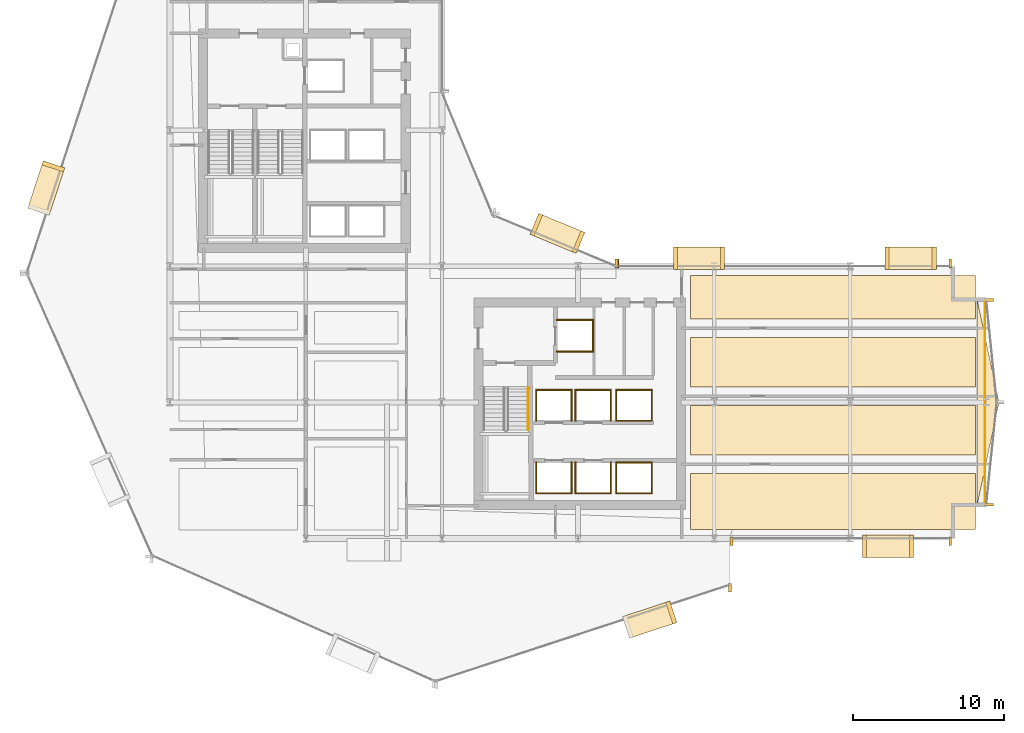
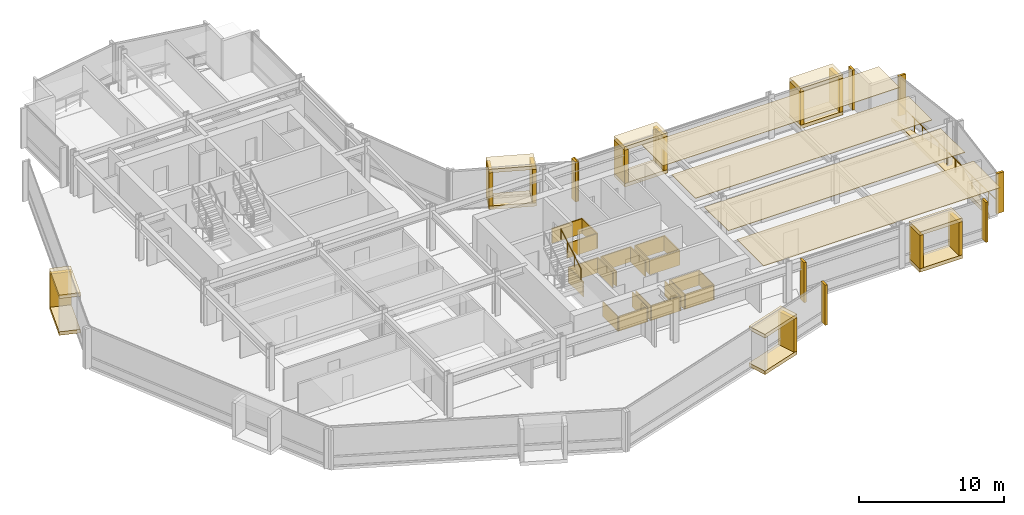
# One storey, part 33 of 35: 58 coverings, 2 railings.
"""IFC4 building model written with IfcOpenShell, lengths in metres."""

from ifc_helpers import new_model, si_unit, direction, frame, origin, origin_2d, place, context, subcontext, project, spatial, polyline, rectangle, circle, outline, extrude, material, layer, layer_set, type_object, element, save


model = new_model("IFC4")

# Units and contexts
model_context = context("Model", 3, precision=1e-05, world=origin(), true_north=direction((0.0, 1.0)))
body_context = subcontext(model_context, "Body", "Model", "MODEL_VIEW")
ifc_project = project(units=[si_unit("LENGTHUNIT", "METRE"), si_unit("AREAUNIT", "SQUARE_METRE"), si_unit("VOLUMEUNIT", "CUBIC_METRE"), si_unit("PLANEANGLEUNIT", "RADIAN"), si_unit("MASSUNIT", "GRAM", prefix="KILO")], contexts=[model_context])

# Site, building, storey
site_placement = place(None, origin())
site = spatial("IfcSite", under=ifc_project, at=site_placement, CompositionType="ELEMENT")
building_placement = place(site_placement, origin())
building = spatial("IfcBuilding", under=site, at=building_placement, Name="Solvaryn Broadcast Tower", CompositionType="ELEMENT")
storey_placement = place(building_placement, frame((0.0, 0.0, 80.39990234375)))
storey = spatial("IfcBuildingStorey", under=building, at=storey_placement, Name="L19", CompositionType="ELEMENT", Elevation=80.39990234375)

# Coverings
ifc_material_1 = material(Name="Micro-Perforated Acoustic Gypsum Ceiling", Category="concrete")
ifc_layer_1 = layer(ifc_material_1, 0.0400390625)
ifc_layer_set_1 = layer_set([ifc_layer_1], Name="CV-CEIL-ACOUSTIC")
covering_type_1 = type_object("IfcCoveringType", Name="CV-CEIL-ACOUSTIC", PredefinedType="CEILING", material=ifc_layer_set_1)
covering_1_placement = place(storey_placement, frame((0.0, 0.0, 3.330078125)))
element("IfcCovering", 1, at=covering_1_placement, inside=storey, type_object=covering_type_1, Name="L19 Room Acoustic Ceiling 10", PredefinedType="CEILING", context=body_context, shape_type="SweptSolid", body=[
    extrude(outline(polyline([(43.449951171875, 9.60009765625), (62.300048828125, 9.60009765625), (62.300048828125, 13.300048828125), (43.449951171875, 13.300048828125), (43.449951171875, 9.60009765625)])), origin(), (0.0, 0.0, 1.0), 0.0400390625),
])
covering_2_placement = place(storey_placement, frame((0.0, 0.0, 3.330078125)))
element("IfcCovering", 2, at=covering_2_placement, inside=storey, type_object=covering_type_1, Name="L19 Room Acoustic Ceiling 11", PredefinedType="CEILING", context=body_context, shape_type="SweptSolid", body=[
    extrude(outline(polyline([(43.449951171875, 14.5), (62.300048828125, 14.5), (62.300048828125, 17.800048828125), (43.449951171875, 17.800048828125), (43.449951171875, 14.5)])), origin(), (0.0, 0.0, 1.0), 0.0400390625),
])
covering_3_placement = place(storey_placement, frame((0.0, 0.0, 3.330078125)))
element("IfcCovering", 3, at=covering_3_placement, inside=storey, type_object=covering_type_1, Name="L19 Room Acoustic Ceiling 12", PredefinedType="CEILING", context=body_context, shape_type="SweptSolid", body=[
    extrude(outline(polyline([(43.449951171875, 19.0), (62.300048828125, 19.0), (62.300048828125, 22.300048828125), (43.449951171875, 22.300048828125), (43.449951171875, 19.0)])), origin(), (0.0, 0.0, 1.0), 0.0400390625),
])
covering_4_placement = place(storey_placement, frame((0.0, 0.0, 3.330078125)))
element("IfcCovering", 4, at=covering_4_placement, inside=storey, type_object=covering_type_1, Name="L19 Room Acoustic Ceiling 13", PredefinedType="CEILING", context=body_context, shape_type="SweptSolid", body=[
    extrude(outline(polyline([(43.449951171875, 23.5), (62.300048828125, 23.5), (62.300048828125, 26.39990234375), (43.449951171875, 26.39990234375), (43.449951171875, 23.5)])), origin(), (0.0, 0.0, 1.0), 0.0400390625),
])
ifc_material_2 = material(Name="Fire-Rated Gypsum Shaftwall Liner", Category="concrete")
ifc_layer_2 = layer(ifc_material_2, 0.080078125)
ifc_layer_set_2 = layer_set([ifc_layer_2], Name="CV-SHAFT-LINER")
covering_type_2 = type_object("IfcCoveringType", Name="CV-SHAFT-LINER", PredefinedType="CLADDING", material=ifc_layer_set_2)
for number, where, z_axis, x_axis, name in (
    (5, (35.800048828125, 23.43994140625, 0.0), (0.0, 0.0, 1.0), (1.0, 0.0, 0.0), "L19 FL2 Hoistway Shaft Liner North"),
    (6, (35.800048828125, 21.360107421875, 0.0), (0.0, 0.0, 1.0), (1.0, 0.0, 0.0), "L19 FL2 Hoistway Shaft Liner South"),
):
    element("IfcCovering", number, at=place(storey_placement, frame(where, z_axis=z_axis, x_axis=x_axis)), inside=storey, type_object=covering_type_2, Name=name, PredefinedType="CLADDING", context=body_context, shape_type="SweptSolid", body=[
        extrude(rectangle(XDim=2.4599609375, YDim=0.080078125, at=origin_2d()), origin(), (0.0, 0.0, 1.0), 1.25),
    ])
covering_5_placement = place(storey_placement, frame((36.989990234375, 22.39990234375, 0.0), z_axis=(0.0, 0.0, 1.0), x_axis=(1.0, 0.0, 0.0)))
element("IfcCovering", 7, at=covering_5_placement, inside=storey, type_object=covering_type_2, Name="L19 FL2 Hoistway Shaft Liner East", PredefinedType="CLADDING", context=body_context, shape_type="SweptSolid", body=[
    extrude(rectangle(XDim=0.080078125, YDim=2.159912109375, at=origin_2d()), origin(), (0.0, 0.0, 1.0), 1.25),
])
covering_6_placement = place(storey_placement, frame((34.39990234375, 11.985107421875, 0.0), z_axis=(0.0, 0.0, 1.0), x_axis=(1.0, 0.0, 0.0)))
element("IfcCovering", 8, at=covering_6_placement, inside=storey, type_object=covering_type_2, Name="L19 PL1 Hoistway Shaft Liner South", PredefinedType="CLADDING", context=body_context, shape_type="SweptSolid", body=[
    extrude(rectangle(XDim=2.409912109375, YDim=0.080078125, at=origin_2d()), origin(), (0.0, 0.0, 1.0), 1.25),
])
for number, where, z_axis, x_axis, name in (
    (9, (35.56494140625, 13.0, 0.0), (0.0, 0.0, 1.0), (1.0, 0.0, 0.0), "L19 PL1 Hoistway Shaft Liner East"),
    (10, (33.235107421875, 13.0, 0.0), (0.0, 0.0, 1.0), (1.0, 0.0, 0.0), "L19 PL1 Hoistway Shaft Liner West"),
):
    element("IfcCovering", number, at=place(storey_placement, frame(where, z_axis=z_axis, x_axis=x_axis)), inside=storey, type_object=covering_type_2, Name=name, PredefinedType="CLADDING", context=body_context, shape_type="SweptSolid", body=[
        extrude(rectangle(XDim=0.080078125, YDim=2.110107421875, at=origin_2d()), origin(), (0.0, 0.0, 1.0), 1.25),
    ])
covering_7_placement = place(storey_placement, frame((37.0, 11.985107421875, 0.0), z_axis=(0.0, 0.0, 1.0), x_axis=(1.0, 0.0, 0.0)))
element("IfcCovering", 11, at=covering_7_placement, inside=storey, type_object=covering_type_2, Name="L19 PL2 Hoistway Shaft Liner South", PredefinedType="CLADDING", context=body_context, shape_type="SweptSolid", body=[
    extrude(rectangle(XDim=2.409912109375, YDim=0.080078125, at=origin_2d()), origin(), (0.0, 0.0, 1.0), 1.25),
])
for number, where, z_axis, x_axis, name in (
    (12, (38.1650390625, 13.0, 0.0), (0.0, 0.0, 1.0), (1.0, 0.0, 0.0), "L19 PL2 Hoistway Shaft Liner East"),
    (13, (35.8349609375, 13.0, 0.0), (0.0, 0.0, 1.0), (1.0, 0.0, 0.0), "L19 PL2 Hoistway Shaft Liner West"),
):
    element("IfcCovering", number, at=place(storey_placement, frame(where, z_axis=z_axis, x_axis=x_axis)), inside=storey, type_object=covering_type_2, Name=name, PredefinedType="CLADDING", context=body_context, shape_type="SweptSolid", body=[
        extrude(rectangle(XDim=0.080078125, YDim=2.110107421875, at=origin_2d()), origin(), (0.0, 0.0, 1.0), 1.25),
    ])
covering_8_placement = place(storey_placement, frame((34.39990234375, 18.81494140625, 0.0), z_axis=(0.0, 0.0, 1.0), x_axis=(1.0, 0.0, 0.0)))
element("IfcCovering", 14, at=covering_8_placement, inside=storey, type_object=covering_type_2, Name="L19 PL3 Hoistway Shaft Liner North", PredefinedType="CLADDING", context=body_context, shape_type="SweptSolid", body=[
    extrude(rectangle(XDim=2.409912109375, YDim=0.080078125, at=origin_2d()), origin(), (0.0, 0.0, 1.0), 1.25),
])
for number, where, z_axis, x_axis, name in (
    (15, (35.56494140625, 17.800048828125, 0.0), (0.0, 0.0, 1.0), (1.0, 0.0, 0.0), "L19 PL3 Hoistway Shaft Liner East"),
    (16, (33.235107421875, 17.800048828125, 0.0), (0.0, 0.0, 1.0), (1.0, 0.0, 0.0), "L19 PL3 Hoistway Shaft Liner West"),
):
    element("IfcCovering", number, at=place(storey_placement, frame(where, z_axis=z_axis, x_axis=x_axis)), inside=storey, type_object=covering_type_2, Name=name, PredefinedType="CLADDING", context=body_context, shape_type="SweptSolid", body=[
        extrude(rectangle(XDim=0.080078125, YDim=2.110107421875, at=origin_2d()), origin(), (0.0, 0.0, 1.0), 1.25),
    ])
covering_9_placement = place(storey_placement, frame((37.0, 18.81494140625, 0.0), z_axis=(0.0, 0.0, 1.0), x_axis=(1.0, 0.0, 0.0)))
element("IfcCovering", 17, at=covering_9_placement, inside=storey, type_object=covering_type_2, Name="L19 PL4 Hoistway Shaft Liner North", PredefinedType="CLADDING", context=body_context, shape_type="SweptSolid", body=[
    extrude(rectangle(XDim=2.409912109375, YDim=0.080078125, at=origin_2d()), origin(), (0.0, 0.0, 1.0), 1.25),
])
for number, where, z_axis, x_axis, name in (
    (18, (38.1650390625, 17.800048828125, 0.0), (0.0, 0.0, 1.0), (1.0, 0.0, 0.0), "L19 PL4 Hoistway Shaft Liner East"),
    (19, (35.8349609375, 17.800048828125, 0.0), (0.0, 0.0, 1.0), (1.0, 0.0, 0.0), "L19 PL4 Hoistway Shaft Liner West"),
):
    element("IfcCovering", number, at=place(storey_placement, frame(where, z_axis=z_axis, x_axis=x_axis)), inside=storey, type_object=covering_type_2, Name=name, PredefinedType="CLADDING", context=body_context, shape_type="SweptSolid", body=[
        extrude(rectangle(XDim=0.080078125, YDim=2.110107421875, at=origin_2d()), origin(), (0.0, 0.0, 1.0), 1.25),
    ])
for number, where, z_axis, x_axis, name in (
    (20, (39.699951171875, 14.014892578125, 0.0), (0.0, 0.0, 1.0), (1.0, 0.0, 0.0), "L19 PM1 Hoistway Shaft Liner North"),
    (21, (39.699951171875, 11.985107421875, 0.0), (0.0, 0.0, 1.0), (1.0, 0.0, 0.0), "L19 PM1 Hoistway Shaft Liner South"),
):
    element("IfcCovering", number, at=place(storey_placement, frame(where, z_axis=z_axis, x_axis=x_axis)), inside=storey, type_object=covering_type_2, Name=name, PredefinedType="CLADDING", context=body_context, shape_type="SweptSolid", body=[
        extrude(rectangle(XDim=2.409912109375, YDim=0.080078125, at=origin_2d()), origin(), (0.0, 0.0, 1.0), 1.25),
    ])
for number, where, z_axis, x_axis, name in (
    (22, (40.864990234375, 13.0, 0.0), (0.0, 0.0, 1.0), (1.0, 0.0, 0.0), "L19 PM1 Hoistway Shaft Liner East"),
    (23, (38.534912109375, 13.0, 0.0), (0.0, 0.0, 1.0), (1.0, 0.0, 0.0), "L19 PM1 Hoistway Shaft Liner West"),
):
    element("IfcCovering", number, at=place(storey_placement, frame(where, z_axis=z_axis, x_axis=x_axis)), inside=storey, type_object=covering_type_2, Name=name, PredefinedType="CLADDING", context=body_context, shape_type="SweptSolid", body=[
        extrude(rectangle(XDim=0.080078125, YDim=2.110107421875, at=origin_2d()), origin(), (0.0, 0.0, 1.0), 1.25),
    ])
for number, where, z_axis, x_axis, name in (
    (24, (39.699951171875, 18.81494140625, 0.0), (0.0, 0.0, 1.0), (1.0, 0.0, 0.0), "L19 PM2 Hoistway Shaft Liner North"),
    (25, (39.699951171875, 16.784912109375, 0.0), (0.0, 0.0, 1.0), (1.0, 0.0, 0.0), "L19 PM2 Hoistway Shaft Liner South"),
):
    element("IfcCovering", number, at=place(storey_placement, frame(where, z_axis=z_axis, x_axis=x_axis)), inside=storey, type_object=covering_type_2, Name=name, PredefinedType="CLADDING", context=body_context, shape_type="SweptSolid", body=[
        extrude(rectangle(XDim=2.409912109375, YDim=0.080078125, at=origin_2d()), origin(), (0.0, 0.0, 1.0), 1.25),
    ])
for number, where, z_axis, x_axis, name in (
    (26, (40.864990234375, 17.800048828125, 0.0), (0.0, 0.0, 1.0), (1.0, 0.0, 0.0), "L19 PM2 Hoistway Shaft Liner East"),
    (27, (38.534912109375, 17.800048828125, 0.0), (0.0, 0.0, 1.0), (1.0, 0.0, 0.0), "L19 PM2 Hoistway Shaft Liner West"),
):
    element("IfcCovering", number, at=place(storey_placement, frame(where, z_axis=z_axis, x_axis=x_axis)), inside=storey, type_object=covering_type_2, Name=name, PredefinedType="CLADDING", context=body_context, shape_type="SweptSolid", body=[
        extrude(rectangle(XDim=0.080078125, YDim=2.110107421875, at=origin_2d()), origin(), (0.0, 0.0, 1.0), 1.25),
    ])
ifc_material_3 = material(Name="Glazed Architectural Terracotta Rainscreen Cladding", Category="masonry")
ifc_layer_3 = layer(ifc_material_3, 0.280029296875)
ifc_layer_set_3 = layer_set([ifc_layer_3], Name="CV-TC-CLAD")
covering_type_3 = type_object("IfcCoveringType", Name="CV-TC-CLAD", PredefinedType="CLADDING", material=ifc_layer_set_3)
for number, where, z_axis, x_axis, name in (
    (28, (0.819091796875, 32.173095703125, 3.080078125), (0.0, 0.0, 1.0), (-0.311671636848, -0.950189870912, 0.0), "L19 Projecting Stone Window Box Hood 1"),
    (29, (0.819091796875, 32.173095703125, -0.009765625), (0.0, 0.0, 1.0), (-0.311671636848, -0.950189870912, 0.0), "L19 Projecting Stone Window Box Sill 1"),
):
    element("IfcCovering", number, at=place(storey_placement, frame(where, z_axis=z_axis, x_axis=x_axis)), inside=storey, type_object=covering_type_3, Name=name, PredefinedType="CLADDING", context=body_context, shape_type="SweptSolid", body=[
        extrude(rectangle(XDim=3.300048828125, YDim=1.5, at=origin_2d()), origin(), (0.0, 0.0, 1.0), 0.300048828125),
    ])
covering_10_placement = place(storey_placement, frame((1.28955078125, 33.60791015625, 0.280029296875), z_axis=(0.0, 0.0, 1.0), x_axis=(-0.311671636848, -0.950189870912, 0.0)))
element("IfcCovering", 30, at=covering_10_placement, inside=storey, type_object=covering_type_3, Name="L19 Projecting Stone Window Box Cheek 1-1", PredefinedType="CLADDING", context=body_context, shape_type="SweptSolid", body=[
    extrude(rectangle(XDim=0.280029296875, YDim=1.5, at=origin_2d()), origin(), (0.0, 0.0, 1.0), 2.81005859375),
])
for number, where, z_axis, x_axis, name in (
    (31, (40.73291015625, 3.6259765625, 3.080078125), (0.0, 0.0, 1.0), (0.950189870912, 0.311671636848, 0.0), "L19 Projecting Stone Window Box Hood 4"),
    (32, (40.73291015625, 3.6259765625, -0.009765625), (0.0, 0.0, 1.0), (0.950189870912, 0.311671636848, 0.0), "L19 Projecting Stone Window Box Sill 4"),
):
    element("IfcCovering", number, at=place(storey_placement, frame(where, z_axis=z_axis, x_axis=x_axis)), inside=storey, type_object=covering_type_3, Name=name, PredefinedType="CLADDING", context=body_context, shape_type="SweptSolid", body=[
        extrude(rectangle(XDim=3.300048828125, YDim=1.5, at=origin_2d()), origin(), (0.0, 0.0, 1.0), 0.300048828125),
    ])
covering_11_placement = place(storey_placement, frame((42.167724609375, 4.0966796875, 0.280029296875), z_axis=(0.0, 0.0, 1.0), x_axis=(0.950189870912, 0.311671636848, 0.0)))
element("IfcCovering", 33, at=covering_11_placement, inside=storey, type_object=covering_type_3, Name="L19 Projecting Stone Window Box Cheek 4-2", PredefinedType="CLADDING", context=body_context, shape_type="SweptSolid", body=[
    extrude(rectangle(XDim=0.280029296875, YDim=1.5, at=origin_2d()), origin(), (0.0, 0.0, 1.0), 2.81005859375),
])
for number, where, z_axis, x_axis, name in (
    (34, (34.636962890625, 29.174072265625, 3.080078125), (0.0, 0.0, 1.0), (-0.923879532511, 0.382683432365, 0.0), "L19 Projecting Stone Window Box Hood 5"),
    (35, (34.636962890625, 29.174072265625, -0.009765625), (0.0, 0.0, 1.0), (-0.923879532511, 0.382683432365, 0.0), "L19 Projecting Stone Window Box Sill 5"),
):
    element("IfcCovering", number, at=place(storey_placement, frame(where, z_axis=z_axis, x_axis=x_axis)), inside=storey, type_object=covering_type_3, Name=name, PredefinedType="CLADDING", context=body_context, shape_type="SweptSolid", body=[
        extrude(rectangle(XDim=3.300048828125, YDim=1.5, at=origin_2d()), origin(), (0.0, 0.0, 1.0), 0.300048828125),
    ])
for number, where, z_axis, x_axis, name in (
    (36, (36.031982421875, 28.59619140625, 0.280029296875), (0.0, 0.0, 1.0), (-0.923879532511, 0.382683432365, 0.0), "L19 Projecting Stone Window Box Cheek 5-1"),
    (37, (33.241943359375, 29.751953125, 0.280029296875), (0.0, 0.0, 1.0), (-0.923879532511, 0.382683432365, 0.0), "L19 Projecting Stone Window Box Cheek 5-2"),
):
    element("IfcCovering", number, at=place(storey_placement, frame(where, z_axis=z_axis, x_axis=x_axis)), inside=storey, type_object=covering_type_3, Name=name, PredefinedType="CLADDING", context=body_context, shape_type="SweptSolid", body=[
        extrude(rectangle(XDim=0.280029296875, YDim=1.5, at=origin_2d()), origin(), (0.0, 0.0, 1.0), 2.81005859375),
    ])
for number, where, z_axis, x_axis, name in (
    (38, (56.5, 8.469970703125, 3.080078125), (0.0, 0.0, 1.0), (1.0, 0.0, 0.0), "L19 Projecting Stone Window Box Hood 6"),
    (39, (56.5, 8.469970703125, -0.009765625), (0.0, 0.0, 1.0), (1.0, 0.0, 0.0), "L19 Projecting Stone Window Box Sill 6"),
):
    element("IfcCovering", number, at=place(storey_placement, frame(where, z_axis=z_axis, x_axis=x_axis)), inside=storey, type_object=covering_type_3, Name=name, PredefinedType="CLADDING", context=body_context, shape_type="SweptSolid", body=[
        extrude(rectangle(XDim=3.39990234375, YDim=1.5, at=origin_2d()), origin(), (0.0, 0.0, 1.0), 0.300048828125),
    ])
for number, where, z_axis, x_axis, name in (
    (40, (54.93994140625, 8.469970703125, 0.280029296875), (0.0, 0.0, 1.0), (1.0, 0.0, 0.0), "L19 Projecting Stone Window Box Cheek 6-1"),
    (41, (58.06005859375, 8.469970703125, 0.280029296875), (0.0, 0.0, 1.0), (1.0, 0.0, 0.0), "L19 Projecting Stone Window Box Cheek 6-2"),
):
    element("IfcCovering", number, at=place(storey_placement, frame(where, z_axis=z_axis, x_axis=x_axis)), inside=storey, type_object=covering_type_3, Name=name, PredefinedType="CLADDING", context=body_context, shape_type="SweptSolid", body=[
        extrude(rectangle(XDim=0.280029296875, YDim=1.5, at=origin_2d()), origin(), (0.0, 0.0, 1.0), 2.81005859375),
    ])
for number, where, z_axis, x_axis, name in (
    (42, (44.0, 27.530029296875, 3.080078125), (0.0, 0.0, 1.0), (1.0, 0.0, 0.0), "L19 Projecting Stone Window Box Hood 7"),
    (43, (44.0, 27.530029296875, -0.009765625), (0.0, 0.0, 1.0), (1.0, 0.0, 0.0), "L19 Projecting Stone Window Box Sill 7"),
):
    element("IfcCovering", number, at=place(storey_placement, frame(where, z_axis=z_axis, x_axis=x_axis)), inside=storey, type_object=covering_type_3, Name=name, PredefinedType="CLADDING", context=body_context, shape_type="SweptSolid", body=[
        extrude(rectangle(XDim=3.39990234375, YDim=1.5, at=origin_2d()), origin(), (0.0, 0.0, 1.0), 0.300048828125),
    ])
for number, where, z_axis, x_axis, name in (
    (44, (42.43994140625, 27.530029296875, 0.280029296875), (0.0, 0.0, 1.0), (1.0, 0.0, 0.0), "L19 Projecting Stone Window Box Cheek 7-1"),
    (45, (45.56005859375, 27.530029296875, 0.280029296875), (0.0, 0.0, 1.0), (1.0, 0.0, 0.0), "L19 Projecting Stone Window Box Cheek 7-2"),
):
    element("IfcCovering", number, at=place(storey_placement, frame(where, z_axis=z_axis, x_axis=x_axis)), inside=storey, type_object=covering_type_3, Name=name, PredefinedType="CLADDING", context=body_context, shape_type="SweptSolid", body=[
        extrude(rectangle(XDim=0.280029296875, YDim=1.5, at=origin_2d()), origin(), (0.0, 0.0, 1.0), 2.81005859375),
    ])
for number, where, z_axis, x_axis, name in (
    (46, (58.0, 27.530029296875, 3.080078125), (0.0, 0.0, 1.0), (1.0, 0.0, 0.0), "L19 Projecting Stone Window Box Hood 8"),
    (47, (58.0, 27.530029296875, -0.009765625), (0.0, 0.0, 1.0), (1.0, 0.0, 0.0), "L19 Projecting Stone Window Box Sill 8"),
):
    element("IfcCovering", number, at=place(storey_placement, frame(where, z_axis=z_axis, x_axis=x_axis)), inside=storey, type_object=covering_type_3, Name=name, PredefinedType="CLADDING", context=body_context, shape_type="SweptSolid", body=[
        extrude(rectangle(XDim=3.39990234375, YDim=1.5, at=origin_2d()), origin(), (0.0, 0.0, 1.0), 0.300048828125),
    ])
for number, where, z_axis, x_axis, name in (
    (48, (56.43994140625, 27.530029296875, 0.280029296875), (0.0, 0.0, 1.0), (1.0, 0.0, 0.0), "L19 Projecting Stone Window Box Cheek 8-1"),
    (49, (59.56005859375, 27.530029296875, 0.280029296875), (0.0, 0.0, 1.0), (1.0, 0.0, 0.0), "L19 Projecting Stone Window Box Cheek 8-2"),
):
    element("IfcCovering", number, at=place(storey_placement, frame(where, z_axis=z_axis, x_axis=x_axis)), inside=storey, type_object=covering_type_3, Name=name, PredefinedType="CLADDING", context=body_context, shape_type="SweptSolid", body=[
        extrude(rectangle(XDim=0.280029296875, YDim=1.5, at=origin_2d()), origin(), (0.0, 0.0, 1.0), 2.81005859375),
    ])
ifc_material_4 = material(Name="Extruded Architectural Terracotta Fin", Category="masonry")
ifc_layer_4 = layer(ifc_material_4, 0.179931640625)
ifc_layer_set_4 = layer_set([ifc_layer_4], Name="CV-TC-FIN")
covering_type_4 = type_object("IfcCoveringType", Name="CV-TC-FIN", PredefinedType="USERDEFINED", material=ifc_layer_set_4)
for number, where, z_axis, x_axis, name in (
    (50, (46.043701171875, 5.735595703125, 0.0), (0.0, 0.0, 1.0), (1.0, 0.0, 0.0), "L19 Terracotta Vertical Fin FIN-L19-DR4-M01"),
    (51, (38.541259765625, 27.177978515625, 0.0), (0.0, 0.0, 1.0), (1.0, 0.0, 0.0), "L19 Terracotta Vertical Fin FIN-L19-CN1-M00"),
    (52, (46.14599609375, 8.8125, 0.0), (0.0, 0.0, 1.0), (1.0, 0.0, 0.0), "L19 Terracotta Vertical Fin FIN-L19-S2-M00"),
    (53, (60.6201171875, 8.8125, 0.0), (0.0, 0.0, 1.0), (1.0, 0.0, 0.0), "L19 Terracotta Vertical Fin FIN-L19-S2-M01"),
):
    element("IfcCovering", number, at=place(storey_placement, frame(where, z_axis=z_axis, x_axis=x_axis)), inside=storey, type_object=covering_type_4, Name=name, ObjectType="FIN", PredefinedType="USERDEFINED", context=body_context, shape_type="SweptSolid", body=[
        extrude(rectangle(XDim=0.179931640625, YDim=0.580078125, at=origin_2d()), origin(), (0.0, 0.0, 1.0), 3.3701171875),
    ])
for number, where, z_axis, x_axis, name in (
    (54, (63.190673828125, 24.770263671875, 0.0), (0.0, 0.0, 1.0), (1.0, 0.0, 0.0), "L19 Terracotta Vertical Fin FIN-L19-ET1-M00"),
    (55, (63.190673828125, 11.229736328125, 0.0), (0.0, 0.0, 1.0), (1.0, 0.0, 0.0), "L19 Terracotta Vertical Fin FIN-L19-ET2-M01"),
):
    element("IfcCovering", number, at=place(storey_placement, frame(where, z_axis=z_axis, x_axis=x_axis)), inside=storey, type_object=covering_type_4, Name=name, ObjectType="FIN", PredefinedType="USERDEFINED", context=body_context, shape_type="SweptSolid", body=[
        extrude(rectangle(XDim=0.580078125, YDim=0.179931640625, at=origin_2d()), origin(), (0.0, 0.0, 1.0), 3.3701171875),
    ])
for number, where, z_axis, x_axis, name in (
    (56, (38.6298828125, 27.1875, 0.0), (0.0, 0.0, 1.0), (1.0, 0.0, 0.0), "L19 Terracotta Vertical Fin FIN-L19-IH-M00"),
    (57, (60.6201171875, 27.1875, 0.0), (0.0, 0.0, 1.0), (1.0, 0.0, 0.0), "L19 Terracotta Vertical Fin FIN-L19-IH-M01"),
):
    element("IfcCovering", number, at=place(storey_placement, frame(where, z_axis=z_axis, x_axis=x_axis)), inside=storey, type_object=covering_type_4, Name=name, ObjectType="FIN", PredefinedType="USERDEFINED", context=body_context, shape_type="SweptSolid", body=[
        extrude(rectangle(XDim=0.179931640625, YDim=0.580078125, at=origin_2d()), origin(), (0.0, 0.0, 1.0), 3.3701171875),
    ])
ifc_material_5 = material(Name="Sculpted Architectural Terracotta Wave Fascia", Category="masonry")
ifc_layer_5 = layer(ifc_material_5, 0.340087890625)
ifc_layer_set_5 = layer_set([ifc_layer_5], Name="CV-WAVE-TRAY")
covering_type_5 = type_object("IfcCoveringType", Name="CV-WAVE-TRAY", PredefinedType="CLADDING", material=ifc_layer_set_5)
covering_12_placement = place(storey_placement, frame((0.0, 0.0, -0.2998046875)))
element("IfcCovering", 58, at=covering_12_placement, inside=storey, type_object=covering_type_5, Name="L19 East Curved Wing Deck", PredefinedType="CLADDING", context=body_context, shape_type="SweptSolid", body=[
    extrude(outline(polyline([(62.39990234375, 11.199951171875), (63.85009765625, 18.0), (62.39990234375, 24.800048828125), (62.39990234375, 11.199951171875)])), origin(), (0.0, 0.0, 1.0), 0.329833984375),
])

# Railings
ifc_material_6 = material(Name="Brushed Stainless Steel Tubular Handrail", Category="steel")
railing_type_1 = type_object("IfcRailingType", Name="RL-STAIR-HANDRAIL", PredefinedType="HANDRAIL", material=ifc_material_6)
railing_1_placement = place(storey_placement, frame((32.699951171875, 16.159912109375, 2.018310546875)))
element("IfcRailing", 59, at=railing_1_placement, inside=storey, type_object=railing_type_1, Name="L19 ST3 stair handrail 2", PredefinedType="HANDRAIL", context=body_context, shape_type="SweptSolid", body=[
    extrude(circle(Radius=0.02392578125, at=origin_2d()), frame((0.0, 0.0, 0.8759765625), z_axis=(0.0, 0.857242210791, 0.514913383045), x_axis=(-1.0, 0.0, 0.0)), (0.0, 0.0, 1.0), 3.266357421875),
    extrude(circle(Radius=0.02099609375, at=origin_2d()), origin(), (0.0, 0.0, 1.0), 0.851806640625),
    extrude(circle(Radius=0.02099609375, at=origin_2d()), frame((0.0, 0.933349609375, 0.560546875)), (0.0, 0.0, 1.0), 0.851806640625),
    extrude(circle(Radius=0.02099609375, at=origin_2d()), frame((0.0, 1.86669921875, 1.121337890625)), (0.0, 0.0, 1.0), 0.851806640625),
    extrude(circle(Radius=0.02099609375, at=origin_2d()), frame((0.0, 2.800048828125, 1.681884765625)), (0.0, 0.0, 1.0), 0.851806640625),
])
ifc_material_7 = material(Name="Stainless Steel and Laminated Glass Guard", Category="steel")
railing_type_2 = type_object("IfcRailingType", Name="RL-TER-1150", PredefinedType="BALUSTRADE", material=ifc_material_7)
railing_2_placement = place(storey_placement, frame((62.919921875, 11.199951171875, 0.0)))
element("IfcRailing", 60, at=railing_2_placement, inside=storey, type_object=railing_type_2, Name="L19 East Wing Spandrel Edge Guard", PredefinedType="BALUSTRADE", context=body_context, shape_type="SweptSolid", body=[
    extrude(circle(Radius=0.02392578125, at=origin_2d()), frame((0.0, 0.0, 1.1259765625), z_axis=(0.0, 1.0, 0.0), x_axis=(-1.0, 0.0, 0.0)), (0.0, 0.0, 1.0), 13.60009765625),
    extrude(circle(Radius=0.02099609375, at=origin_2d()), origin(), (0.0, 0.0, 1.0), 1.101806640625),
    extrude(circle(Radius=0.02099609375, at=origin_2d()), frame((0.0, 1.13330078125, 0.0)), (0.0, 0.0, 1.0), 1.101806640625),
    extrude(circle(Radius=0.02099609375, at=origin_2d()), frame((0.0, 2.2666015625, 0.0)), (0.0, 0.0, 1.0), 1.101806640625),
    extrude(circle(Radius=0.02099609375, at=origin_2d()), frame((0.0, 3.39990234375, 0.0)), (0.0, 0.0, 1.0), 1.101806640625),
    extrude(circle(Radius=0.02099609375, at=origin_2d()), frame((0.0, 4.533447265625, 0.0)), (0.0, 0.0, 1.0), 1.101806640625),
    extrude(circle(Radius=0.02099609375, at=origin_2d()), frame((0.0, 5.666748046875, 0.0)), (0.0, 0.0, 1.0), 1.101806640625),
    extrude(circle(Radius=0.02099609375, at=origin_2d()), frame((0.0, 6.800048828125, 0.0)), (0.0, 0.0, 1.0), 1.101806640625),
    extrude(circle(Radius=0.02099609375, at=origin_2d()), frame((0.0, 7.933349609375, 0.0)), (0.0, 0.0, 1.0), 1.101806640625),
    extrude(circle(Radius=0.02099609375, at=origin_2d()), frame((0.0, 9.066650390625, 0.0)), (0.0, 0.0, 1.0), 1.101806640625),
    extrude(circle(Radius=0.02099609375, at=origin_2d()), frame((0.0, 10.2001953125, 0.0)), (0.0, 0.0, 1.0), 1.101806640625),
    extrude(circle(Radius=0.02099609375, at=origin_2d()), frame((0.0, 11.33349609375, 0.0)), (0.0, 0.0, 1.0), 1.101806640625),
    extrude(circle(Radius=0.02099609375, at=origin_2d()), frame((0.0, 12.466796875, 0.0)), (0.0, 0.0, 1.0), 1.101806640625),
    extrude(circle(Radius=0.02099609375, at=origin_2d()), frame((0.0, 13.60009765625, 0.0)), (0.0, 0.0, 1.0), 1.101806640625),
])

save(model, "model.ifc")
